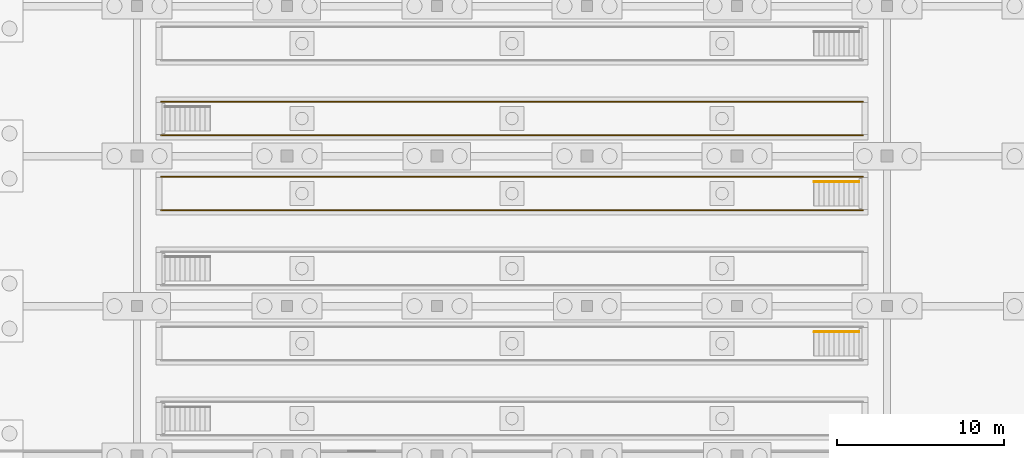
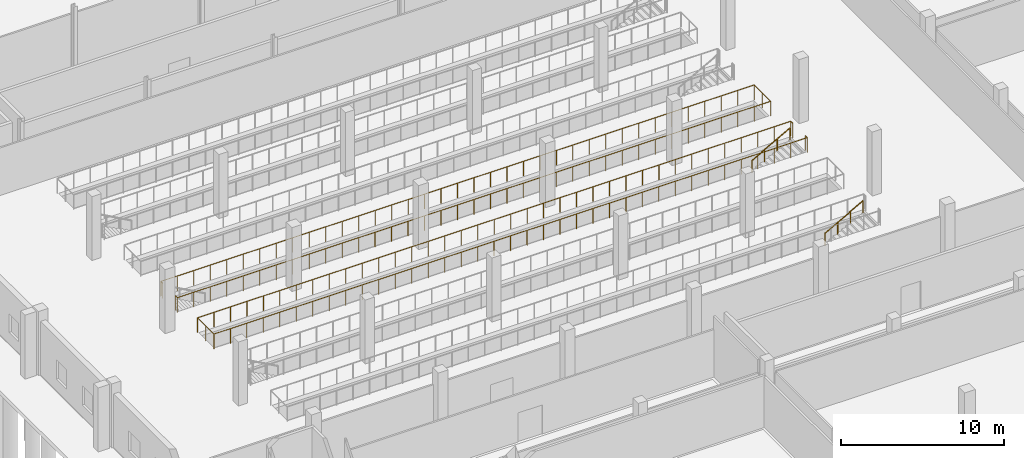
# One storey, part 99 of 112: 4 railings.
"""IFC4 building model written with IfcOpenShell, lengths in metres."""

from ifc_helpers import new_model, si_unit, direction, frame, origin, origin_2d, place, context, subcontext, project, spatial, circle, extrude, material, type_object, element, save


model = new_model("IFC4")

# Units and contexts
model_context = context("Model", 3, precision=1e-05, world=origin(), true_north=direction((0.0, 1.0)))
body_context = subcontext(model_context, "Body", "Model", "MODEL_VIEW")
ifc_project = project(units=[si_unit("LENGTHUNIT", "METRE"), si_unit("AREAUNIT", "SQUARE_METRE"), si_unit("VOLUMEUNIT", "CUBIC_METRE"), si_unit("PLANEANGLEUNIT", "RADIAN"), si_unit("MASSUNIT", "GRAM", prefix="KILO")], contexts=[model_context])

# Site, building, storey
site_placement = place(None, origin())
site = spatial("IfcSite", under=ifc_project, at=site_placement, CompositionType="ELEMENT")
building_placement = place(site_placement, origin())
building = spatial("IfcBuilding", under=site, at=building_placement, Name="Tharagai Park Tramway Depot", CompositionType="ELEMENT")
storey_placement = place(building_placement, origin())
storey = spatial("IfcBuildingStorey", under=building, at=storey_placement, Name="L00", CompositionType="ELEMENT", Elevation=0.0)

# Railings
ifc_material = material(Name="Galvanised steel", Category="steel")
railing_type_1 = type_object("IfcRailingType", Name="HR-01", PredefinedType="GUARDRAIL", material=ifc_material)
railing_1_placement = place(storey_placement, frame((52.56005859375, 70.52001953125, 0.0)))
element("IfcRailing", 1, at=railing_1_placement, inside=storey, type_object=railing_type_1, Name="Inspection Pit Track 4 Mouth Safety Guard 1", PredefinedType="GUARDRAIL", context=body_context, shape_type="SweptSolid", body=[
    extrude(circle(Radius=0.02392578125, at=origin_2d()), frame((0.0, 0.0, 1.10595703125), z_axis=(0.0, 1.0, 0.0), x_axis=(-1.0, 0.0, 0.0)), (0.0, 0.0, 1.0), 0.239990234375),
    extrude(circle(Radius=0.02392578125, at=origin_2d()), frame((0.0, 0.239990234375, 1.10595703125), z_axis=(-1.0, 0.0, 0.0), x_axis=(0.0, -1.0, 0.0)), (0.0, 0.0, 1.0), 42.1201171875),
    extrude(circle(Radius=0.02392578125, at=origin_2d()), frame((-42.1201171875, 0.239990234375, 1.10595703125), z_axis=(0.0, -1.0, 0.0), x_axis=(1.0, 0.0, 0.0)), (0.0, 0.0, 1.0), 2.02001953125),
    extrude(circle(Radius=0.02392578125, at=origin_2d()), frame((-42.1201171875, -1.780029296875, 1.10595703125), z_axis=(1.0, 0.0, 0.0), x_axis=(0.0, 1.0, 0.0)), (0.0, 0.0, 1.0), 42.1201171875),
    extrude(circle(Radius=0.02392578125, at=origin_2d()), frame((0.0, -1.780029296875, 1.10595703125), z_axis=(0.0, 1.0, 0.0), x_axis=(-1.0, 0.0, 0.0)), (0.0, 0.0, 1.0), 0.239990234375),
    extrude(circle(Radius=0.02099609375, at=origin_2d()), origin(), (0.0, 0.0, 1.0), 1.081787109375),
    extrude(circle(Radius=0.02099609375, at=origin_2d()), frame((0.0, 0.239990234375, 0.0)), (0.0, 0.0, 1.0), 1.081787109375),
    extrude(circle(Radius=0.02099609375, at=origin_2d()), frame((-1.169921875, 0.239990234375, 0.0)), (0.0, 0.0, 1.0), 1.081787109375),
    extrude(circle(Radius=0.02099609375, at=origin_2d()), frame((-2.340087890625, 0.239990234375, 0.0)), (0.0, 0.0, 1.0), 1.081787109375),
    extrude(circle(Radius=0.02099609375, at=origin_2d()), frame((-3.510009765625, 0.239990234375, 0.0)), (0.0, 0.0, 1.0), 1.081787109375),
    extrude(circle(Radius=0.02099609375, at=origin_2d()), frame((-4.679931640625, 0.239990234375, 0.0)), (0.0, 0.0, 1.0), 1.081787109375),
    extrude(circle(Radius=0.02099609375, at=origin_2d()), frame((-5.85009765625, 0.239990234375, 0.0)), (0.0, 0.0, 1.0), 1.081787109375),
    extrude(circle(Radius=0.02099609375, at=origin_2d()), frame((-7.02001953125, 0.239990234375, 0.0)), (0.0, 0.0, 1.0), 1.081787109375),
    extrude(circle(Radius=0.02099609375, at=origin_2d()), frame((-8.18994140625, 0.239990234375, 0.0)), (0.0, 0.0, 1.0), 1.081787109375),
    extrude(circle(Radius=0.02099609375, at=origin_2d()), frame((-9.360107421875, 0.239990234375, 0.0)), (0.0, 0.0, 1.0), 1.081787109375),
    extrude(circle(Radius=0.02099609375, at=origin_2d()), frame((-10.530029296875, 0.239990234375, 0.0)), (0.0, 0.0, 1.0), 1.081787109375),
    extrude(circle(Radius=0.02099609375, at=origin_2d()), frame((-11.699951171875, 0.239990234375, 0.0)), (0.0, 0.0, 1.0), 1.081787109375),
    extrude(circle(Radius=0.02099609375, at=origin_2d()), frame((-12.8701171875, 0.239990234375, 0.0)), (0.0, 0.0, 1.0), 1.081787109375),
    extrude(circle(Radius=0.02099609375, at=origin_2d()), frame((-14.0400390625, 0.239990234375, 0.0)), (0.0, 0.0, 1.0), 1.081787109375),
    extrude(circle(Radius=0.02099609375, at=origin_2d()), frame((-15.2099609375, 0.239990234375, 0.0)), (0.0, 0.0, 1.0), 1.081787109375),
    extrude(circle(Radius=0.02099609375, at=origin_2d()), frame((-16.380126953125, 0.239990234375, 0.0)), (0.0, 0.0, 1.0), 1.081787109375),
    extrude(circle(Radius=0.02099609375, at=origin_2d()), frame((-17.550048828125, 0.239990234375, 0.0)), (0.0, 0.0, 1.0), 1.081787109375),
    extrude(circle(Radius=0.02099609375, at=origin_2d()), frame((-18.719970703125, 0.239990234375, 0.0)), (0.0, 0.0, 1.0), 1.081787109375),
    extrude(circle(Radius=0.02099609375, at=origin_2d()), frame((-19.89013671875, 0.239990234375, 0.0)), (0.0, 0.0, 1.0), 1.081787109375),
    extrude(circle(Radius=0.02099609375, at=origin_2d()), frame((-21.06005859375, 0.239990234375, 0.0)), (0.0, 0.0, 1.0), 1.081787109375),
    extrude(circle(Radius=0.02099609375, at=origin_2d()), frame((-22.22998046875, 0.239990234375, 0.0)), (0.0, 0.0, 1.0), 1.081787109375),
    extrude(circle(Radius=0.02099609375, at=origin_2d()), frame((-23.400146484375, 0.239990234375, 0.0)), (0.0, 0.0, 1.0), 1.081787109375),
    extrude(circle(Radius=0.02099609375, at=origin_2d()), frame((-24.570068359375, 0.239990234375, 0.0)), (0.0, 0.0, 1.0), 1.081787109375),
    extrude(circle(Radius=0.02099609375, at=origin_2d()), frame((-25.739990234375, 0.239990234375, 0.0)), (0.0, 0.0, 1.0), 1.081787109375),
    extrude(circle(Radius=0.02099609375, at=origin_2d()), frame((-26.91015625, 0.239990234375, 0.0)), (0.0, 0.0, 1.0), 1.081787109375),
    extrude(circle(Radius=0.02099609375, at=origin_2d()), frame((-28.080078125, 0.239990234375, 0.0)), (0.0, 0.0, 1.0), 1.081787109375),
    extrude(circle(Radius=0.02099609375, at=origin_2d()), frame((-29.25, 0.239990234375, 0.0)), (0.0, 0.0, 1.0), 1.081787109375),
    extrude(circle(Radius=0.02099609375, at=origin_2d()), frame((-30.420166015625, 0.239990234375, 0.0)), (0.0, 0.0, 1.0), 1.081787109375),
    extrude(circle(Radius=0.02099609375, at=origin_2d()), frame((-31.590087890625, 0.239990234375, 0.0)), (0.0, 0.0, 1.0), 1.081787109375),
    extrude(circle(Radius=0.02099609375, at=origin_2d()), frame((-32.760009765625, 0.239990234375, 0.0)), (0.0, 0.0, 1.0), 1.081787109375),
    extrude(circle(Radius=0.02099609375, at=origin_2d()), frame((-33.93017578125, 0.239990234375, 0.0)), (0.0, 0.0, 1.0), 1.081787109375),
    extrude(circle(Radius=0.02099609375, at=origin_2d()), frame((-35.10009765625, 0.239990234375, 0.0)), (0.0, 0.0, 1.0), 1.081787109375),
    extrude(circle(Radius=0.02099609375, at=origin_2d()), frame((-36.27001953125, 0.239990234375, 0.0)), (0.0, 0.0, 1.0), 1.081787109375),
    extrude(circle(Radius=0.02099609375, at=origin_2d()), frame((-37.440185546875, 0.239990234375, 0.0)), (0.0, 0.0, 1.0), 1.081787109375),
    extrude(circle(Radius=0.02099609375, at=origin_2d()), frame((-38.610107421875, 0.239990234375, 0.0)), (0.0, 0.0, 1.0), 1.081787109375),
    extrude(circle(Radius=0.02099609375, at=origin_2d()), frame((-39.780029296875, 0.239990234375, 0.0)), (0.0, 0.0, 1.0), 1.081787109375),
    extrude(circle(Radius=0.02099609375, at=origin_2d()), frame((-40.9501953125, 0.239990234375, 0.0)), (0.0, 0.0, 1.0), 1.081787109375),
    extrude(circle(Radius=0.02099609375, at=origin_2d()), frame((-42.1201171875, 0.239990234375, 0.0)), (0.0, 0.0, 1.0), 1.081787109375),
    extrude(circle(Radius=0.02099609375, at=origin_2d()), frame((-42.1201171875, -0.77001953125, 0.0)), (0.0, 0.0, 1.0), 1.081787109375),
    extrude(circle(Radius=0.02099609375, at=origin_2d()), frame((-42.1201171875, -1.780029296875, 0.0)), (0.0, 0.0, 1.0), 1.081787109375),
    extrude(circle(Radius=0.02099609375, at=origin_2d()), frame((-40.9501953125, -1.780029296875, 0.0)), (0.0, 0.0, 1.0), 1.081787109375),
    extrude(circle(Radius=0.02099609375, at=origin_2d()), frame((-39.780029296875, -1.780029296875, 0.0)), (0.0, 0.0, 1.0), 1.081787109375),
    extrude(circle(Radius=0.02099609375, at=origin_2d()), frame((-38.610107421875, -1.780029296875, 0.0)), (0.0, 0.0, 1.0), 1.081787109375),
    extrude(circle(Radius=0.02099609375, at=origin_2d()), frame((-37.440185546875, -1.780029296875, 0.0)), (0.0, 0.0, 1.0), 1.081787109375),
    extrude(circle(Radius=0.02099609375, at=origin_2d()), frame((-36.27001953125, -1.780029296875, 0.0)), (0.0, 0.0, 1.0), 1.081787109375),
    extrude(circle(Radius=0.02099609375, at=origin_2d()), frame((-35.10009765625, -1.780029296875, 0.0)), (0.0, 0.0, 1.0), 1.081787109375),
    extrude(circle(Radius=0.02099609375, at=origin_2d()), frame((-33.93017578125, -1.780029296875, 0.0)), (0.0, 0.0, 1.0), 1.081787109375),
    extrude(circle(Radius=0.02099609375, at=origin_2d()), frame((-32.760009765625, -1.780029296875, 0.0)), (0.0, 0.0, 1.0), 1.081787109375),
    extrude(circle(Radius=0.02099609375, at=origin_2d()), frame((-31.590087890625, -1.780029296875, 0.0)), (0.0, 0.0, 1.0), 1.081787109375),
    extrude(circle(Radius=0.02099609375, at=origin_2d()), frame((-30.420166015625, -1.780029296875, 0.0)), (0.0, 0.0, 1.0), 1.081787109375),
    extrude(circle(Radius=0.02099609375, at=origin_2d()), frame((-29.25, -1.780029296875, 0.0)), (0.0, 0.0, 1.0), 1.081787109375),
    extrude(circle(Radius=0.02099609375, at=origin_2d()), frame((-28.080078125, -1.780029296875, 0.0)), (0.0, 0.0, 1.0), 1.081787109375),
    extrude(circle(Radius=0.02099609375, at=origin_2d()), frame((-26.91015625, -1.780029296875, 0.0)), (0.0, 0.0, 1.0), 1.081787109375),
    extrude(circle(Radius=0.02099609375, at=origin_2d()), frame((-25.739990234375, -1.780029296875, 0.0)), (0.0, 0.0, 1.0), 1.081787109375),
    extrude(circle(Radius=0.02099609375, at=origin_2d()), frame((-24.570068359375, -1.780029296875, 0.0)), (0.0, 0.0, 1.0), 1.081787109375),
    extrude(circle(Radius=0.02099609375, at=origin_2d()), frame((-23.400146484375, -1.780029296875, 0.0)), (0.0, 0.0, 1.0), 1.081787109375),
    extrude(circle(Radius=0.02099609375, at=origin_2d()), frame((-22.22998046875, -1.780029296875, 0.0)), (0.0, 0.0, 1.0), 1.081787109375),
    extrude(circle(Radius=0.02099609375, at=origin_2d()), frame((-21.06005859375, -1.780029296875, 0.0)), (0.0, 0.0, 1.0), 1.081787109375),
    extrude(circle(Radius=0.02099609375, at=origin_2d()), frame((-19.89013671875, -1.780029296875, 0.0)), (0.0, 0.0, 1.0), 1.081787109375),
    extrude(circle(Radius=0.02099609375, at=origin_2d()), frame((-18.719970703125, -1.780029296875, 0.0)), (0.0, 0.0, 1.0), 1.081787109375),
    extrude(circle(Radius=0.02099609375, at=origin_2d()), frame((-17.550048828125, -1.780029296875, 0.0)), (0.0, 0.0, 1.0), 1.081787109375),
    extrude(circle(Radius=0.02099609375, at=origin_2d()), frame((-16.380126953125, -1.780029296875, 0.0)), (0.0, 0.0, 1.0), 1.081787109375),
    extrude(circle(Radius=0.02099609375, at=origin_2d()), frame((-15.2099609375, -1.780029296875, 0.0)), (0.0, 0.0, 1.0), 1.081787109375),
    extrude(circle(Radius=0.02099609375, at=origin_2d()), frame((-14.0400390625, -1.780029296875, 0.0)), (0.0, 0.0, 1.0), 1.081787109375),
    extrude(circle(Radius=0.02099609375, at=origin_2d()), frame((-12.8701171875, -1.780029296875, 0.0)), (0.0, 0.0, 1.0), 1.081787109375),
    extrude(circle(Radius=0.02099609375, at=origin_2d()), frame((-11.699951171875, -1.780029296875, 0.0)), (0.0, 0.0, 1.0), 1.081787109375),
    extrude(circle(Radius=0.02099609375, at=origin_2d()), frame((-10.530029296875, -1.780029296875, 0.0)), (0.0, 0.0, 1.0), 1.081787109375),
    extrude(circle(Radius=0.02099609375, at=origin_2d()), frame((-9.360107421875, -1.780029296875, 0.0)), (0.0, 0.0, 1.0), 1.081787109375),
    extrude(circle(Radius=0.02099609375, at=origin_2d()), frame((-8.18994140625, -1.780029296875, 0.0)), (0.0, 0.0, 1.0), 1.081787109375),
    extrude(circle(Radius=0.02099609375, at=origin_2d()), frame((-7.02001953125, -1.780029296875, 0.0)), (0.0, 0.0, 1.0), 1.081787109375),
    extrude(circle(Radius=0.02099609375, at=origin_2d()), frame((-5.85009765625, -1.780029296875, 0.0)), (0.0, 0.0, 1.0), 1.081787109375),
    extrude(circle(Radius=0.02099609375, at=origin_2d()), frame((-4.679931640625, -1.780029296875, 0.0)), (0.0, 0.0, 1.0), 1.081787109375),
    extrude(circle(Radius=0.02099609375, at=origin_2d()), frame((-3.510009765625, -1.780029296875, 0.0)), (0.0, 0.0, 1.0), 1.081787109375),
    extrude(circle(Radius=0.02099609375, at=origin_2d()), frame((-2.340087890625, -1.780029296875, 0.0)), (0.0, 0.0, 1.0), 1.081787109375),
    extrude(circle(Radius=0.02099609375, at=origin_2d()), frame((-1.169921875, -1.780029296875, 0.0)), (0.0, 0.0, 1.0), 1.081787109375),
    extrude(circle(Radius=0.02099609375, at=origin_2d()), frame((0.0, -1.780029296875, 0.0)), (0.0, 0.0, 1.0), 1.081787109375),
    extrude(circle(Radius=0.02099609375, at=origin_2d()), frame((0.0, -1.5400390625, 0.0)), (0.0, 0.0, 1.0), 1.081787109375),
])
railing_2_placement = place(storey_placement, frame((10.43994140625, 73.47998046875, 0.0)))
element("IfcRailing", 2, at=railing_2_placement, inside=storey, type_object=railing_type_1, Name="Inspection Pit Track 5 Mouth Safety Guard 1", PredefinedType="GUARDRAIL", context=body_context, shape_type="SweptSolid", body=[
    extrude(circle(Radius=0.02392578125, at=origin_2d()), frame((0.0, 0.0, 1.10595703125), z_axis=(0.0, -1.0, 0.0), x_axis=(1.0, 0.0, 0.0)), (0.0, 0.0, 1.0), 0.239990234375),
    extrude(circle(Radius=0.02392578125, at=origin_2d()), frame((0.0, -0.239990234375, 1.10595703125), z_axis=(1.0, 0.0, 0.0), x_axis=(0.0, 1.0, 0.0)), (0.0, 0.0, 1.0), 42.1201171875),
    extrude(circle(Radius=0.02392578125, at=origin_2d()), frame((42.1201171875, -0.239990234375, 1.10595703125), z_axis=(0.0, 1.0, 0.0), x_axis=(-1.0, 0.0, 0.0)), (0.0, 0.0, 1.0), 2.02001953125),
    extrude(circle(Radius=0.02392578125, at=origin_2d()), frame((42.1201171875, 1.780029296875, 1.10595703125), z_axis=(-1.0, 0.0, 0.0), x_axis=(0.0, -1.0, 0.0)), (0.0, 0.0, 1.0), 42.1201171875),
    extrude(circle(Radius=0.02392578125, at=origin_2d()), frame((0.0, 1.780029296875, 1.10595703125), z_axis=(0.0, -1.0, 0.0), x_axis=(1.0, 0.0, 0.0)), (0.0, 0.0, 1.0), 0.239990234375),
    extrude(circle(Radius=0.02099609375, at=origin_2d()), origin(), (0.0, 0.0, 1.0), 1.081787109375),
    extrude(circle(Radius=0.02099609375, at=origin_2d()), frame((0.0, -0.239990234375, 0.0)), (0.0, 0.0, 1.0), 1.081787109375),
    extrude(circle(Radius=0.02099609375, at=origin_2d()), frame((1.169921875, -0.239990234375, 0.0)), (0.0, 0.0, 1.0), 1.081787109375),
    extrude(circle(Radius=0.02099609375, at=origin_2d()), frame((2.340087890625, -0.239990234375, 0.0)), (0.0, 0.0, 1.0), 1.081787109375),
    extrude(circle(Radius=0.02099609375, at=origin_2d()), frame((3.510009765625, -0.239990234375, 0.0)), (0.0, 0.0, 1.0), 1.081787109375),
    extrude(circle(Radius=0.02099609375, at=origin_2d()), frame((4.679931640625, -0.239990234375, 0.0)), (0.0, 0.0, 1.0), 1.081787109375),
    extrude(circle(Radius=0.02099609375, at=origin_2d()), frame((5.85009765625, -0.239990234375, 0.0)), (0.0, 0.0, 1.0), 1.081787109375),
    extrude(circle(Radius=0.02099609375, at=origin_2d()), frame((7.02001953125, -0.239990234375, 0.0)), (0.0, 0.0, 1.0), 1.081787109375),
    extrude(circle(Radius=0.02099609375, at=origin_2d()), frame((8.18994140625, -0.239990234375, 0.0)), (0.0, 0.0, 1.0), 1.081787109375),
    extrude(circle(Radius=0.02099609375, at=origin_2d()), frame((9.360107421875, -0.239990234375, 0.0)), (0.0, 0.0, 1.0), 1.081787109375),
    extrude(circle(Radius=0.02099609375, at=origin_2d()), frame((10.530029296875, -0.239990234375, 0.0)), (0.0, 0.0, 1.0), 1.081787109375),
    extrude(circle(Radius=0.02099609375, at=origin_2d()), frame((11.699951171875, -0.239990234375, 0.0)), (0.0, 0.0, 1.0), 1.081787109375),
    extrude(circle(Radius=0.02099609375, at=origin_2d()), frame((12.8701171875, -0.239990234375, 0.0)), (0.0, 0.0, 1.0), 1.081787109375),
    extrude(circle(Radius=0.02099609375, at=origin_2d()), frame((14.0400390625, -0.239990234375, 0.0)), (0.0, 0.0, 1.0), 1.081787109375),
    extrude(circle(Radius=0.02099609375, at=origin_2d()), frame((15.2099609375, -0.239990234375, 0.0)), (0.0, 0.0, 1.0), 1.081787109375),
    extrude(circle(Radius=0.02099609375, at=origin_2d()), frame((16.380126953125, -0.239990234375, 0.0)), (0.0, 0.0, 1.0), 1.081787109375),
    extrude(circle(Radius=0.02099609375, at=origin_2d()), frame((17.550048828125, -0.239990234375, 0.0)), (0.0, 0.0, 1.0), 1.081787109375),
    extrude(circle(Radius=0.02099609375, at=origin_2d()), frame((18.719970703125, -0.239990234375, 0.0)), (0.0, 0.0, 1.0), 1.081787109375),
    extrude(circle(Radius=0.02099609375, at=origin_2d()), frame((19.89013671875, -0.239990234375, 0.0)), (0.0, 0.0, 1.0), 1.081787109375),
    extrude(circle(Radius=0.02099609375, at=origin_2d()), frame((21.06005859375, -0.239990234375, 0.0)), (0.0, 0.0, 1.0), 1.081787109375),
    extrude(circle(Radius=0.02099609375, at=origin_2d()), frame((22.22998046875, -0.239990234375, 0.0)), (0.0, 0.0, 1.0), 1.081787109375),
    extrude(circle(Radius=0.02099609375, at=origin_2d()), frame((23.400146484375, -0.239990234375, 0.0)), (0.0, 0.0, 1.0), 1.081787109375),
    extrude(circle(Radius=0.02099609375, at=origin_2d()), frame((24.570068359375, -0.239990234375, 0.0)), (0.0, 0.0, 1.0), 1.081787109375),
    extrude(circle(Radius=0.02099609375, at=origin_2d()), frame((25.739990234375, -0.239990234375, 0.0)), (0.0, 0.0, 1.0), 1.081787109375),
    extrude(circle(Radius=0.02099609375, at=origin_2d()), frame((26.91015625, -0.239990234375, 0.0)), (0.0, 0.0, 1.0), 1.081787109375),
    extrude(circle(Radius=0.02099609375, at=origin_2d()), frame((28.080078125, -0.239990234375, 0.0)), (0.0, 0.0, 1.0), 1.081787109375),
    extrude(circle(Radius=0.02099609375, at=origin_2d()), frame((29.25, -0.239990234375, 0.0)), (0.0, 0.0, 1.0), 1.081787109375),
    extrude(circle(Radius=0.02099609375, at=origin_2d()), frame((30.420166015625, -0.239990234375, 0.0)), (0.0, 0.0, 1.0), 1.081787109375),
    extrude(circle(Radius=0.02099609375, at=origin_2d()), frame((31.590087890625, -0.239990234375, 0.0)), (0.0, 0.0, 1.0), 1.081787109375),
    extrude(circle(Radius=0.02099609375, at=origin_2d()), frame((32.760009765625, -0.239990234375, 0.0)), (0.0, 0.0, 1.0), 1.081787109375),
    extrude(circle(Radius=0.02099609375, at=origin_2d()), frame((33.93017578125, -0.239990234375, 0.0)), (0.0, 0.0, 1.0), 1.081787109375),
    extrude(circle(Radius=0.02099609375, at=origin_2d()), frame((35.10009765625, -0.239990234375, 0.0)), (0.0, 0.0, 1.0), 1.081787109375),
    extrude(circle(Radius=0.02099609375, at=origin_2d()), frame((36.27001953125, -0.239990234375, 0.0)), (0.0, 0.0, 1.0), 1.081787109375),
    extrude(circle(Radius=0.02099609375, at=origin_2d()), frame((37.440185546875, -0.239990234375, 0.0)), (0.0, 0.0, 1.0), 1.081787109375),
    extrude(circle(Radius=0.02099609375, at=origin_2d()), frame((38.610107421875, -0.239990234375, 0.0)), (0.0, 0.0, 1.0), 1.081787109375),
    extrude(circle(Radius=0.02099609375, at=origin_2d()), frame((39.780029296875, -0.239990234375, 0.0)), (0.0, 0.0, 1.0), 1.081787109375),
    extrude(circle(Radius=0.02099609375, at=origin_2d()), frame((40.9501953125, -0.239990234375, 0.0)), (0.0, 0.0, 1.0), 1.081787109375),
    extrude(circle(Radius=0.02099609375, at=origin_2d()), frame((42.1201171875, -0.239990234375, 0.0)), (0.0, 0.0, 1.0), 1.081787109375),
    extrude(circle(Radius=0.02099609375, at=origin_2d()), frame((42.1201171875, 0.77001953125, 0.0)), (0.0, 0.0, 1.0), 1.081787109375),
    extrude(circle(Radius=0.02099609375, at=origin_2d()), frame((42.1201171875, 1.780029296875, 0.0)), (0.0, 0.0, 1.0), 1.081787109375),
    extrude(circle(Radius=0.02099609375, at=origin_2d()), frame((40.9501953125, 1.780029296875, 0.0)), (0.0, 0.0, 1.0), 1.081787109375),
    extrude(circle(Radius=0.02099609375, at=origin_2d()), frame((39.780029296875, 1.780029296875, 0.0)), (0.0, 0.0, 1.0), 1.081787109375),
    extrude(circle(Radius=0.02099609375, at=origin_2d()), frame((38.610107421875, 1.780029296875, 0.0)), (0.0, 0.0, 1.0), 1.081787109375),
    extrude(circle(Radius=0.02099609375, at=origin_2d()), frame((37.440185546875, 1.780029296875, 0.0)), (0.0, 0.0, 1.0), 1.081787109375),
    extrude(circle(Radius=0.02099609375, at=origin_2d()), frame((36.27001953125, 1.780029296875, 0.0)), (0.0, 0.0, 1.0), 1.081787109375),
    extrude(circle(Radius=0.02099609375, at=origin_2d()), frame((35.10009765625, 1.780029296875, 0.0)), (0.0, 0.0, 1.0), 1.081787109375),
    extrude(circle(Radius=0.02099609375, at=origin_2d()), frame((33.93017578125, 1.780029296875, 0.0)), (0.0, 0.0, 1.0), 1.081787109375),
    extrude(circle(Radius=0.02099609375, at=origin_2d()), frame((32.760009765625, 1.780029296875, 0.0)), (0.0, 0.0, 1.0), 1.081787109375),
    extrude(circle(Radius=0.02099609375, at=origin_2d()), frame((31.590087890625, 1.780029296875, 0.0)), (0.0, 0.0, 1.0), 1.081787109375),
    extrude(circle(Radius=0.02099609375, at=origin_2d()), frame((30.420166015625, 1.780029296875, 0.0)), (0.0, 0.0, 1.0), 1.081787109375),
    extrude(circle(Radius=0.02099609375, at=origin_2d()), frame((29.25, 1.780029296875, 0.0)), (0.0, 0.0, 1.0), 1.081787109375),
    extrude(circle(Radius=0.02099609375, at=origin_2d()), frame((28.080078125, 1.780029296875, 0.0)), (0.0, 0.0, 1.0), 1.081787109375),
    extrude(circle(Radius=0.02099609375, at=origin_2d()), frame((26.91015625, 1.780029296875, 0.0)), (0.0, 0.0, 1.0), 1.081787109375),
    extrude(circle(Radius=0.02099609375, at=origin_2d()), frame((25.739990234375, 1.780029296875, 0.0)), (0.0, 0.0, 1.0), 1.081787109375),
    extrude(circle(Radius=0.02099609375, at=origin_2d()), frame((24.570068359375, 1.780029296875, 0.0)), (0.0, 0.0, 1.0), 1.081787109375),
    extrude(circle(Radius=0.02099609375, at=origin_2d()), frame((23.400146484375, 1.780029296875, 0.0)), (0.0, 0.0, 1.0), 1.081787109375),
    extrude(circle(Radius=0.02099609375, at=origin_2d()), frame((22.22998046875, 1.780029296875, 0.0)), (0.0, 0.0, 1.0), 1.081787109375),
    extrude(circle(Radius=0.02099609375, at=origin_2d()), frame((21.06005859375, 1.780029296875, 0.0)), (0.0, 0.0, 1.0), 1.081787109375),
    extrude(circle(Radius=0.02099609375, at=origin_2d()), frame((19.89013671875, 1.780029296875, 0.0)), (0.0, 0.0, 1.0), 1.081787109375),
    extrude(circle(Radius=0.02099609375, at=origin_2d()), frame((18.719970703125, 1.780029296875, 0.0)), (0.0, 0.0, 1.0), 1.081787109375),
    extrude(circle(Radius=0.02099609375, at=origin_2d()), frame((17.550048828125, 1.780029296875, 0.0)), (0.0, 0.0, 1.0), 1.081787109375),
    extrude(circle(Radius=0.02099609375, at=origin_2d()), frame((16.380126953125, 1.780029296875, 0.0)), (0.0, 0.0, 1.0), 1.081787109375),
    extrude(circle(Radius=0.02099609375, at=origin_2d()), frame((15.2099609375, 1.780029296875, 0.0)), (0.0, 0.0, 1.0), 1.081787109375),
    extrude(circle(Radius=0.02099609375, at=origin_2d()), frame((14.0400390625, 1.780029296875, 0.0)), (0.0, 0.0, 1.0), 1.081787109375),
    extrude(circle(Radius=0.02099609375, at=origin_2d()), frame((12.8701171875, 1.780029296875, 0.0)), (0.0, 0.0, 1.0), 1.081787109375),
    extrude(circle(Radius=0.02099609375, at=origin_2d()), frame((11.699951171875, 1.780029296875, 0.0)), (0.0, 0.0, 1.0), 1.081787109375),
    extrude(circle(Radius=0.02099609375, at=origin_2d()), frame((10.530029296875, 1.780029296875, 0.0)), (0.0, 0.0, 1.0), 1.081787109375),
    extrude(circle(Radius=0.02099609375, at=origin_2d()), frame((9.360107421875, 1.780029296875, 0.0)), (0.0, 0.0, 1.0), 1.081787109375),
    extrude(circle(Radius=0.02099609375, at=origin_2d()), frame((8.18994140625, 1.780029296875, 0.0)), (0.0, 0.0, 1.0), 1.081787109375),
    extrude(circle(Radius=0.02099609375, at=origin_2d()), frame((7.02001953125, 1.780029296875, 0.0)), (0.0, 0.0, 1.0), 1.081787109375),
    extrude(circle(Radius=0.02099609375, at=origin_2d()), frame((5.85009765625, 1.780029296875, 0.0)), (0.0, 0.0, 1.0), 1.081787109375),
    extrude(circle(Radius=0.02099609375, at=origin_2d()), frame((4.679931640625, 1.780029296875, 0.0)), (0.0, 0.0, 1.0), 1.081787109375),
    extrude(circle(Radius=0.02099609375, at=origin_2d()), frame((3.510009765625, 1.780029296875, 0.0)), (0.0, 0.0, 1.0), 1.081787109375),
    extrude(circle(Radius=0.02099609375, at=origin_2d()), frame((2.340087890625, 1.780029296875, 0.0)), (0.0, 0.0, 1.0), 1.081787109375),
    extrude(circle(Radius=0.02099609375, at=origin_2d()), frame((1.169921875, 1.780029296875, 0.0)), (0.0, 0.0, 1.0), 1.081787109375),
    extrude(circle(Radius=0.02099609375, at=origin_2d()), frame((0.0, 1.780029296875, 0.0)), (0.0, 0.0, 1.0), 1.081787109375),
    extrude(circle(Radius=0.02099609375, at=origin_2d()), frame((0.0, 1.5400390625, 0.0)), (0.0, 0.0, 1.0), 1.081787109375),
])
railing_type_2 = type_object("IfcRailingType", Name="HR-03", PredefinedType="HANDRAIL", material=ifc_material)
for number, where, name in (
    (3, (49.6201171875, 61.449951171875, -1.5), "Inspection Pit Track 2 Stair Handrail"),
    (4, (49.6201171875, 70.449951171875, -1.5), "Inspection Pit Track 4 Stair Handrail"),
):
    element("IfcRailing", number, at=place(storey_placement, frame(where)), inside=storey, type_object=railing_type_2, Name=name, PredefinedType="HANDRAIL", context=body_context, shape_type="SweptSolid", body=[
        extrude(circle(Radius=0.02392578125, at=origin_2d()), frame((0.0, 0.0, 0.8759765625), z_axis=(0.87415354758, 0.0, 0.485649642493), x_axis=(0.0, 1.0, 0.0)), (0.0, 0.0, 1.0), 3.088623046875),
        extrude(circle(Radius=0.02099609375, at=origin_2d()), origin(), (0.0, 0.0, 1.0), 0.851806640625),
        extrude(circle(Radius=0.02099609375, at=origin_2d()), frame((0.89990234375, 0.0, 0.5)), (0.0, 0.0, 1.0), 0.851806640625),
        extrude(circle(Radius=0.02099609375, at=origin_2d()), frame((1.800048828125, 0.0, 1.0)), (0.0, 0.0, 1.0), 0.851806640625),
        extrude(circle(Radius=0.02099609375, at=origin_2d()), frame((2.699951171875, 0.0, 1.5)), (0.0, 0.0, 1.0), 0.851806640625),
    ])

save(model, "model.ifc")
